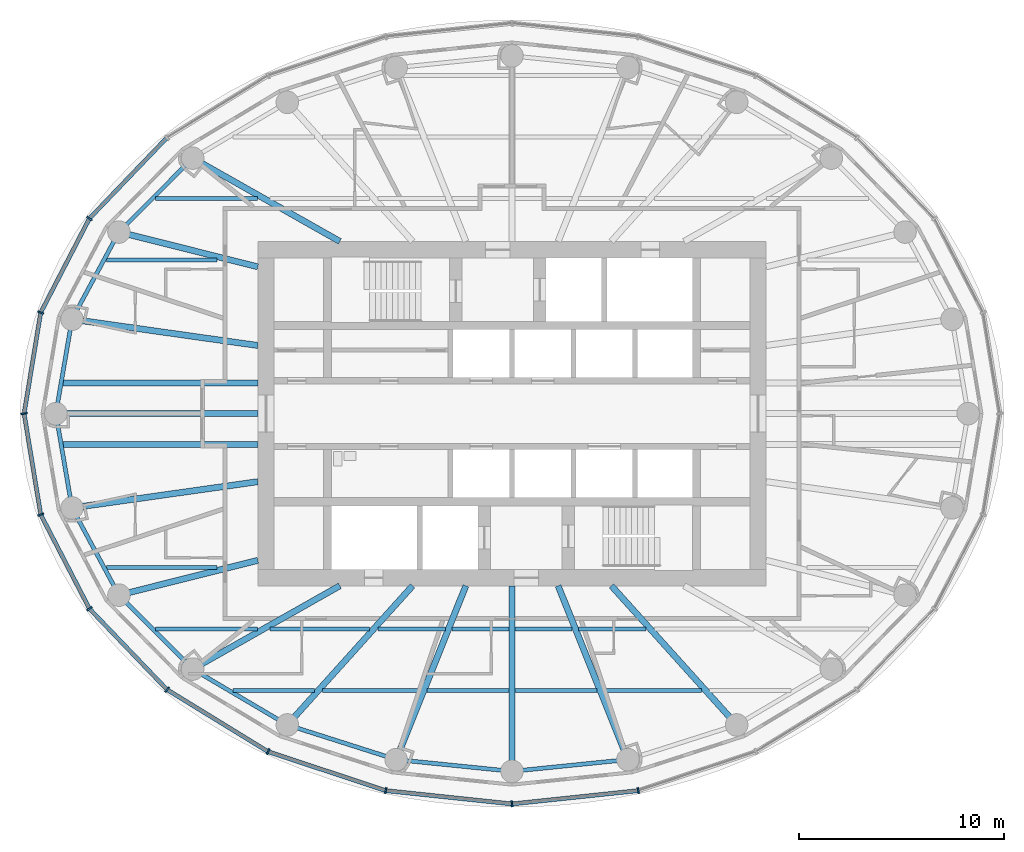
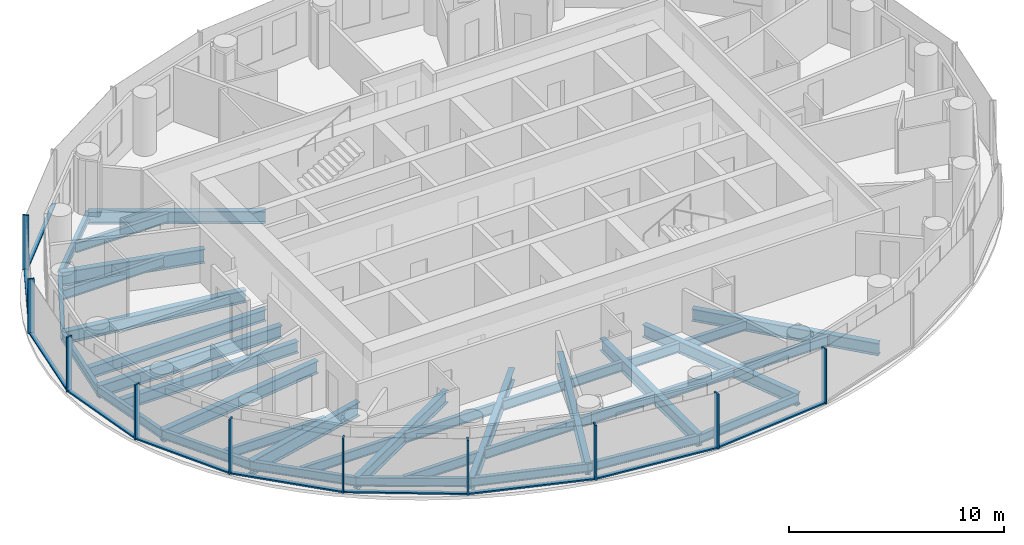
# One storey, part 2 of 16: 38 beams, 20 members, 3 elements without a shape of their own.
"""IFC4 building model written with IfcOpenShell, lengths in metres."""

from ifc_helpers import new_model, si_unit, direction, frame, origin, origin_2d, place, context, subcontext, project, spatial, rectangle, i_section, extrude, material, material_profile, profile_set, type_object, element, aggregate, save


model = new_model("IFC4")

# Units and contexts
model_context = context("Model", 3, precision=1e-05, world=origin(), true_north=direction((0.0, 1.0)))
body_context = subcontext(model_context, "Body", "Model", "MODEL_VIEW")
ifc_project = project(units=[si_unit("LENGTHUNIT", "METRE"), si_unit("AREAUNIT", "SQUARE_METRE"), si_unit("VOLUMEUNIT", "CUBIC_METRE"), si_unit("PLANEANGLEUNIT", "RADIAN"), si_unit("MASSUNIT", "GRAM", prefix="KILO")], contexts=[model_context])

# Site, building, storey
site_placement = place(None, origin())
site = spatial("IfcSite", under=ifc_project, at=site_placement, CompositionType="ELEMENT")
building_placement = place(site_placement, origin())
building = spatial("IfcBuilding", under=site, at=building_placement, Name="Hankou Lantern Tower", CompositionType="ELEMENT")
storey_placement = place(building_placement, frame((0.0, 0.0, 173.10009765625)))
storey = spatial("IfcBuildingStorey", under=building, at=storey_placement, Name="L46", CompositionType="ELEMENT", Elevation=173.10009765625)

# Beams
ifc_material_1 = material(Name="Steel Q355B", Category="steel")
ifc_material_profile_1 = material_profile(ifc_material_1, i_section(OverallWidth=0.199951171875, OverallDepth=0.5, WebThickness=0.010009765625, FlangeThickness=0.01611328125, FilletRadius=0.012939453125, at=origin_2d()), Name="HN500x200x10x16")
ifc_profile_set_1 = profile_set([ifc_material_profile_1], Name="Steel Q355B")
beam_type_1 = type_object("IfcBeamType", Name="EB5 RING BEAM HN500x200x10x16", PredefinedType="SPANDREL", material=ifc_profile_set_1)
beam_1_placement = place(storey_placement, frame((-15.576171875, 12.4609375, -0.43017578125), z_axis=(-0.706147278092, -0.708064984054, 0.0), x_axis=(0.708064984054, -0.706147278092, 0.0)))
element("IfcBeam", 1, at=beam_1_placement, inside=storey, type_object=beam_type_1, Name="Ring beam R10-R11 L46", PredefinedType="SPANDREL", context=body_context, shape_type="SweptSolid", body=[
    extrude(i_section(OverallWidth=0.199951171875, OverallDepth=0.5, WebThickness=0.010009765625, FlangeThickness=0.01611328125, FilletRadius=0.012939453125, at=origin_2d()), origin(), (0.0, 0.0, 1.0), 5.09228515625),
])
beam_2_placement = place(storey_placement, frame((-19.172119140625, 8.855224609375, -0.43017578125), z_axis=(-0.474051612334, -0.880497057828, 0.0), x_axis=(0.880497057828, -0.474051612334, 0.0)))
element("IfcBeam", 2, at=beam_2_placement, inside=storey, type_object=beam_type_1, Name="Ring beam R11-R12 L46", PredefinedType="SPANDREL", context=body_context, shape_type="SweptSolid", body=[
    extrude(i_section(OverallWidth=0.199951171875, OverallDepth=0.5, WebThickness=0.010009765625, FlangeThickness=0.01611328125, FilletRadius=0.012939453125, at=origin_2d()), origin(), (0.0, 0.0, 1.0), 4.831787109375),
])
for number, where, z_axis, x_axis, name in (
    (3, (-21.462646484375, 4.600830078125, -0.43017578125), (-0.168680718946, -0.985670743735, 0.0), (0.985670743735, -0.168680718946, 0.0), "Ring beam R12-R13 L46"),
    (4, (-22.25, 0.0, -0.43017578125), (0.168680718946, -0.985670743735, 0.0), (0.985670743735, 0.168680718946, 0.0), "Ring beam R13-R14 L46"),
):
    element("IfcBeam", number, at=place(storey_placement, frame(where, z_axis=z_axis, x_axis=x_axis)), inside=storey, type_object=beam_type_1, Name=name, PredefinedType="SPANDREL", context=body_context, shape_type="SweptSolid", body=[
        extrude(i_section(OverallWidth=0.199951171875, OverallDepth=0.5, WebThickness=0.010009765625, FlangeThickness=0.01611328125, FilletRadius=0.012939453125, at=origin_2d()), origin(), (0.0, 0.0, 1.0), 4.667724609375),
    ])
beam_3_placement = place(storey_placement, frame((-21.462646484375, -4.600830078125, -0.43017578125), z_axis=(0.474051612334, -0.880497057828, 0.0), x_axis=(0.880497057828, 0.474051612334, 0.0)))
element("IfcBeam", 5, at=beam_3_placement, inside=storey, type_object=beam_type_1, Name="Ring beam R14-R15 L46", PredefinedType="SPANDREL", context=body_context, shape_type="SweptSolid", body=[
    extrude(i_section(OverallWidth=0.199951171875, OverallDepth=0.5, WebThickness=0.010009765625, FlangeThickness=0.01611328125, FilletRadius=0.012939453125, at=origin_2d()), origin(), (0.0, 0.0, 1.0), 4.831787109375),
])
beam_4_placement = place(storey_placement, frame((-19.172119140625, -8.855224609375, -0.43017578125), z_axis=(0.706147278092, -0.708064984054, 0.0), x_axis=(0.708064984054, 0.706147278092, 0.0)))
element("IfcBeam", 6, at=beam_4_placement, inside=storey, type_object=beam_type_1, Name="Ring beam R15-R16 L46", PredefinedType="SPANDREL", context=body_context, shape_type="SweptSolid", body=[
    extrude(i_section(OverallWidth=0.199951171875, OverallDepth=0.5, WebThickness=0.010009765625, FlangeThickness=0.01611328125, FilletRadius=0.012939453125, at=origin_2d()), origin(), (0.0, 0.0, 1.0), 5.09228515625),
])
beam_5_placement = place(storey_placement, frame((-15.576171875, -12.4609375, -0.43017578125), z_axis=(0.861135888339, -0.508374843806, 0.0), x_axis=(0.508374843806, 0.861135888339, 0.0)))
element("IfcBeam", 7, at=beam_5_placement, inside=storey, type_object=beam_type_1, Name="Ring beam R16-R17 L46", PredefinedType="SPANDREL", context=body_context, shape_type="SweptSolid", body=[
    extrude(i_section(OverallWidth=0.199951171875, OverallDepth=0.5, WebThickness=0.010009765625, FlangeThickness=0.01611328125, FilletRadius=0.012939453125, at=origin_2d()), origin(), (0.0, 0.0, 1.0), 5.36083984375),
])
beam_6_placement = place(storey_placement, frame((-10.959716796875, -15.186279296875, -0.43017578125), z_axis=(0.952790404271, -0.30362879562, 0.0), x_axis=(0.30362879562, 0.952790404271, 0.0)))
element("IfcBeam", 8, at=beam_6_placement, inside=storey, type_object=beam_type_1, Name="Ring beam R17-R18 L46", PredefinedType="SPANDREL", context=body_context, shape_type="SweptSolid", body=[
    extrude(i_section(OverallWidth=0.199951171875, OverallDepth=0.5, WebThickness=0.010009765625, FlangeThickness=0.01611328125, FilletRadius=0.012939453125, at=origin_2d()), origin(), (0.0, 0.0, 1.0), 5.56982421875),
])
for number, where, z_axis, x_axis, name in (
    (9, (-5.65283203125, -16.87744140625, -0.43017578125), (0.9949104636, -0.100762936734, 0.0), (0.100762936734, 0.9949104636, 0.0), "Ring beam R18-R19 L46"),
    (10, (0.0, -17.449951171875, -0.43017578125), (0.9949104636, 0.100762936734, 0.0), (-0.100762936734, 0.9949104636, 0.0), "Ring beam R19-R20 L46"),
):
    element("IfcBeam", number, at=place(storey_placement, frame(where, z_axis=z_axis, x_axis=x_axis)), inside=storey, type_object=beam_type_1, Name=name, PredefinedType="SPANDREL", context=body_context, shape_type="SweptSolid", body=[
        extrude(i_section(OverallWidth=0.199951171875, OverallDepth=0.5, WebThickness=0.010009765625, FlangeThickness=0.01611328125, FilletRadius=0.012939453125, at=origin_2d()), origin(), (0.0, 0.0, 1.0), 5.681640625),
    ])

# Curtain wall, members
ifc_material_2 = material(Name="Glass, dark grey tinted laminated", Category="glass")
curtain_wall_type = type_object("IfcCurtainWallType", Name="CWC OUTER SKIN HIGH-RISE", PredefinedType="USERDEFINED", material=ifc_material_2)
curtain_wall_1_placement = place(storey_placement, origin())
curtain_wall_1 = element("IfcCurtainWall", 11, at=curtain_wall_1_placement, inside=storey, type_object=curtain_wall_type, Name="CWC L46 OS2", ObjectType="OUTER SKIN HIGH-RISE", PredefinedType="USERDEFINED")
ifc_material_3 = material(Name="Aluminium, black anodised", Category="aluminium")
ifc_material_profile_2 = material_profile(ifc_material_3, rectangle(XDim=0.080078125, YDim=0.300048828125, at=origin_2d()), Name="MU1 80X300")
ifc_profile_set_2 = profile_set([ifc_material_profile_2], Name="Aluminium, black anodised")
member_type_1 = type_object("IfcMemberType", Name="MU1 OUTER SKIN MULLION 80X300", PredefinedType="MULLION", material=ifc_profile_set_2)
member_1_placement = place(storey_placement, frame((-20.611328125, 9.52001953125, 0.0), z_axis=(0.0, 0.0, 1.0), x_axis=(-0.585205735974, -0.810884854084, 0.0)))
member_1 = element("IfcMember", 12, at=member_1_placement, type_object=member_type_1, Name="CWC mullion 5", PredefinedType="MULLION", context=body_context, shape_type="SweptSolid", body=[
    extrude(rectangle(XDim=0.080078125, YDim=0.300048828125, at=origin_2d()), origin(), (0.0, 0.0, 1.0), 3.119873046875),
])
member_2_placement = place(storey_placement, frame((-22.989013671875, 4.927978515625, 0.0), z_axis=(0.0, 0.0, 1.0), x_axis=(-0.317595577365, -0.94822626479, 0.0)))
member_2 = element("IfcMember", 13, at=member_2_placement, type_object=member_type_1, Name="CWC mullion 6", PredefinedType="MULLION", context=body_context, shape_type="SweptSolid", body=[
    extrude(rectangle(XDim=0.080078125, YDim=0.300048828125, at=origin_2d()), origin(), (0.0, 0.0, 1.0), 3.119873046875),
])

curtain_wall_2_placement = place(storey_placement, origin())
curtain_wall_2 = element("IfcCurtainWall", 14, at=curtain_wall_2_placement, inside=storey, type_object=curtain_wall_type, Name="CWC L46 OS3", ObjectType="OUTER SKIN HIGH-RISE", PredefinedType="USERDEFINED")
member_3_placement = place(storey_placement, frame((-23.800048828125, 0.0, 0.0), z_axis=(0.0, 0.0, 1.0), x_axis=(0.162381515188, -0.986728049427, 0.0)))
member_3 = element("IfcMember", 15, at=member_3_placement, type_object=member_type_1, Name="CWC mullion 1", PredefinedType="MULLION", context=body_context, shape_type="SweptSolid", body=[
    extrude(rectangle(XDim=0.080078125, YDim=0.300048828125, at=origin_2d()), origin(), (0.0, 0.0, 1.0), 3.119873046875),
])
member_4_placement = place(storey_placement, frame((-22.989013671875, -4.927978515625, 0.0), z_axis=(0.0, 0.0, 1.0), x_axis=(0.317595577365, -0.94822626479, 0.0)))
member_4 = element("IfcMember", 16, at=member_4_placement, type_object=member_type_1, Name="CWC mullion 2", PredefinedType="MULLION", context=body_context, shape_type="SweptSolid", body=[
    extrude(rectangle(XDim=0.080078125, YDim=0.300048828125, at=origin_2d()), origin(), (0.0, 0.0, 1.0), 3.119873046875),
])
member_5_placement = place(storey_placement, frame((-20.611328125, -9.52001953125, 0.0), z_axis=(0.0, 0.0, 1.0), x_axis=(0.585205735974, -0.810884854084, 0.0)))
member_5 = element("IfcMember", 17, at=member_5_placement, type_object=member_type_1, Name="CWC mullion 3", PredefinedType="MULLION", context=body_context, shape_type="SweptSolid", body=[
    extrude(rectangle(XDim=0.080078125, YDim=0.300048828125, at=origin_2d()), origin(), (0.0, 0.0, 1.0), 3.119873046875),
])
member_6_placement = place(storey_placement, frame((-16.8291015625, -13.46337890625, 0.0), z_axis=(0.0, 0.0, 1.0), x_axis=(0.780868809444, -0.624695047553, 0.0)))
member_6 = element("IfcMember", 18, at=member_6_placement, type_object=member_type_1, Name="CWC mullion 4", PredefinedType="MULLION", context=body_context, shape_type="SweptSolid", body=[
    extrude(rectangle(XDim=0.080078125, YDim=0.300048828125, at=origin_2d()), origin(), (0.0, 0.0, 1.0), 3.119873046875),
])
member_7_placement = place(storey_placement, frame((-11.89990234375, -16.489013671875, 0.0), z_axis=(0.0, 0.0, 1.0), x_axis=(0.907841299004, -0.419313934686, 0.0)))
member_7 = element("IfcMember", 19, at=member_7_placement, type_object=member_type_1, Name="CWC mullion 5", PredefinedType="MULLION", context=body_context, shape_type="SweptSolid", body=[
    extrude(rectangle(XDim=0.080078125, YDim=0.300048828125, at=origin_2d()), origin(), (0.0, 0.0, 1.0), 3.119873046875),
])
member_8_placement = place(storey_placement, frame((-6.159912109375, -18.39111328125, 0.0), z_axis=(0.0, 0.0, 1.0), x_axis=(0.977787659625, -0.209597931016, 0.0)))
member_8 = element("IfcMember", 20, at=member_8_placement, type_object=member_type_1, Name="CWC mullion 6", PredefinedType="MULLION", context=body_context, shape_type="SweptSolid", body=[
    extrude(rectangle(XDim=0.080078125, YDim=0.300048828125, at=origin_2d()), origin(), (0.0, 0.0, 1.0), 3.119873046875),
])

curtain_wall_3_placement = place(storey_placement, origin())
curtain_wall_3 = element("IfcCurtainWall", 21, at=curtain_wall_3_placement, inside=storey, type_object=curtain_wall_type, Name="CWC L46 OS4", ObjectType="OUTER SKIN HIGH-RISE", PredefinedType="USERDEFINED")
member_9_placement = place(storey_placement, frame((0.0, -19.0400390625, 0.0), z_axis=(0.0, 0.0, 1.0), x_axis=(0.994499359107, 0.104742659579, 0.0)))
member_9 = element("IfcMember", 22, at=member_9_placement, type_object=member_type_1, Name="CWC mullion 1", PredefinedType="MULLION", context=body_context, shape_type="SweptSolid", body=[
    extrude(rectangle(XDim=0.080078125, YDim=0.300048828125, at=origin_2d()), origin(), (0.0, 0.0, 1.0), 3.119873046875),
])
member_10_placement = place(storey_placement, frame((6.159912109375, -18.39111328125, 0.0), z_axis=(0.0, 0.0, 1.0), x_axis=(0.977787659625, 0.209597931016, 0.0)))
member_10 = element("IfcMember", 23, at=member_10_placement, type_object=member_type_1, Name="CWC mullion 2", PredefinedType="MULLION", context=body_context, shape_type="SweptSolid", body=[
    extrude(rectangle(XDim=0.080078125, YDim=0.300048828125, at=origin_2d()), origin(), (0.0, 0.0, 1.0), 3.119873046875),
])

# Beams
ifc_material_4 = material(Name="Steel Q355B", Category="steel")
ifc_material_profile_3 = material_profile(ifc_material_4, i_section(OverallWidth=0.300048828125, OverallDepth=0.800048828125, WebThickness=0.013916015625, FlangeThickness=0.02587890625, FilletRadius=0.01806640625, at=origin_2d()), Name="HN800x300x14x26")
ifc_profile_set_3 = profile_set([ifc_material_profile_3], Name="Steel Q355B")
beam_type_2 = type_object("IfcBeamType", Name="RB11 RADIAL BEAM HN800x300x14x26", PredefinedType="BEAM", material=ifc_profile_set_3)
for number, where, z_axis, x_axis, name in (
    (24, (-12.39990234375, 7.1591796875, -0.580078125), (-0.970041619568, 0.242938791274, 0.0), (-0.242938791274, -0.970041619568, 0.0), "Radial beam R11 L46"),
    (25, (-12.39990234375, -7.1591796875, -0.580078125), (-0.970041619568, -0.242938791274, 0.0), (0.242938791274, -0.970041619568, 0.0), "Radial beam R15 L46"),
):
    element("IfcBeam", number, at=place(storey_placement, frame(where, z_axis=z_axis, x_axis=x_axis)), inside=storey, type_object=beam_type_2, Name=name, PredefinedType="BEAM", context=body_context, shape_type="SweptSolid", body=[
        extrude(i_section(OverallWidth=0.300048828125, OverallDepth=0.800048828125, WebThickness=0.013916015625, FlangeThickness=0.02587890625, FilletRadius=0.01806640625, at=origin_2d()), origin(), (0.0, 0.0, 1.0), 6.9814453125),
    ])
ifc_material_5 = material(Name="Steel Q355B", Category="steel")
ifc_material_profile_4 = material_profile(ifc_material_5, i_section(OverallWidth=0.300048828125, OverallDepth=0.699951171875, WebThickness=0.012939453125, FlangeThickness=0.02392578125, FilletRadius=0.01806640625, at=origin_2d()), Name="HN700x300x13x24")
ifc_profile_set_4 = profile_set([ifc_material_profile_4], Name="Steel Q355B")
beam_type_3 = type_object("IfcBeamType", Name="RB9 RADIAL BEAM HN700x300x13x24", PredefinedType="BEAM", material=ifc_profile_set_4)
beam_7_placement = place(storey_placement, frame((-8.39990234375, 8.39990234375, -0.530029296875), z_axis=(-0.870309058024, 0.492505983234, 0.0), x_axis=(-0.492505983234, -0.870309058024, 0.0)))
element("IfcBeam", 26, at=beam_7_placement, inside=storey, type_object=beam_type_3, Name="Radial beam R10 L46", PredefinedType="BEAM", context=body_context, shape_type="SweptSolid", body=[
    extrude(i_section(OverallWidth=0.300048828125, OverallDepth=0.699951171875, WebThickness=0.012939453125, FlangeThickness=0.02392578125, FilletRadius=0.01806640625, at=origin_2d()), origin(), (0.0, 0.0, 1.0), 8.24560546875),
])
beam_8_placement = place(storey_placement, frame((-12.39990234375, 3.322509765625, -0.530029296875), z_axis=(-0.990198154617, 0.13966966239, 0.0), x_axis=(-0.13966966239, -0.990198154617, 0.0)))
element("IfcBeam", 27, at=beam_8_placement, inside=storey, type_object=beam_type_3, Name="Radial beam R12 L46", PredefinedType="BEAM", context=body_context, shape_type="SweptSolid", body=[
    extrude(i_section(OverallWidth=0.300048828125, OverallDepth=0.699951171875, WebThickness=0.012939453125, FlangeThickness=0.02392578125, FilletRadius=0.01806640625, at=origin_2d()), origin(), (0.0, 0.0, 1.0), 9.15234375),
])
beam_9_placement = place(storey_placement, frame((-12.39990234375, 0.0, -0.530029296875), z_axis=(-1.0, 0.0, 0.0), x_axis=(0.0, -1.0, 0.0)))
element("IfcBeam", 28, at=beam_9_placement, inside=storey, type_object=beam_type_3, Name="Radial beam R13 L46", PredefinedType="BEAM", context=body_context, shape_type="SweptSolid", body=[
    extrude(i_section(OverallWidth=0.300048828125, OverallDepth=0.699951171875, WebThickness=0.012939453125, FlangeThickness=0.02392578125, FilletRadius=0.01806640625, at=origin_2d()), origin(), (0.0, 0.0, 1.0), 9.85009765625),
])
beam_10_placement = place(storey_placement, frame((-12.39990234375, -3.322509765625, -0.530029296875), z_axis=(-0.990198154617, -0.13966966239, 0.0), x_axis=(0.13966966239, -0.990198154617, 0.0)))
element("IfcBeam", 29, at=beam_10_placement, inside=storey, type_object=beam_type_3, Name="Radial beam R14 L46", PredefinedType="BEAM", context=body_context, shape_type="SweptSolid", body=[
    extrude(i_section(OverallWidth=0.300048828125, OverallDepth=0.699951171875, WebThickness=0.012939453125, FlangeThickness=0.02392578125, FilletRadius=0.01806640625, at=origin_2d()), origin(), (0.0, 0.0, 1.0), 9.15234375),
])
beam_11_placement = place(storey_placement, frame((-8.39990234375, -8.39990234375, -0.530029296875), z_axis=(-0.870309058024, -0.492505983234, 0.0), x_axis=(0.492505983234, -0.870309058024, 0.0)))
element("IfcBeam", 30, at=beam_11_placement, inside=storey, type_object=beam_type_3, Name="Radial beam R16 L46", PredefinedType="BEAM", context=body_context, shape_type="SweptSolid", body=[
    extrude(i_section(OverallWidth=0.300048828125, OverallDepth=0.699951171875, WebThickness=0.012939453125, FlangeThickness=0.02392578125, FilletRadius=0.01806640625, at=origin_2d()), origin(), (0.0, 0.0, 1.0), 8.24560546875),
])
beam_12_placement = place(storey_placement, frame((-4.849853515625, -8.39990234375, -0.530029296875), z_axis=(-0.669093231314, -0.743178476418, 0.0), x_axis=(0.743178476418, -0.669093231314, 0.0)))
element("IfcBeam", 31, at=beam_12_placement, inside=storey, type_object=beam_type_3, Name="Radial beam R17 L46", PredefinedType="BEAM", context=body_context, shape_type="SweptSolid", body=[
    extrude(i_section(OverallWidth=0.300048828125, OverallDepth=0.699951171875, WebThickness=0.012939453125, FlangeThickness=0.02392578125, FilletRadius=0.01806640625, at=origin_2d()), origin(), (0.0, 0.0, 1.0), 9.131591796875),
])
beam_13_placement = place(storey_placement, frame((-2.250732421875, -8.39990234375, -0.530029296875), z_axis=(-0.372436468133, -0.928057690666, 0.0), x_axis=(0.928057690666, -0.372436468133, 0.0)))
element("IfcBeam", 32, at=beam_13_placement, inside=storey, type_object=beam_type_3, Name="Radial beam R18 L46", PredefinedType="BEAM", context=body_context, shape_type="SweptSolid", body=[
    extrude(i_section(OverallWidth=0.300048828125, OverallDepth=0.699951171875, WebThickness=0.012939453125, FlangeThickness=0.02392578125, FilletRadius=0.01806640625, at=origin_2d()), origin(), (0.0, 0.0, 1.0), 9.134765625),
])
beam_14_placement = place(storey_placement, frame((0.0, -8.39990234375, -0.530029296875), z_axis=(0.0, -1.0, 0.0), x_axis=(1.0, 0.0, 0.0)))
element("IfcBeam", 33, at=beam_14_placement, inside=storey, type_object=beam_type_3, Name="Radial beam R19 L46", PredefinedType="BEAM", context=body_context, shape_type="SweptSolid", body=[
    extrude(i_section(OverallWidth=0.300048828125, OverallDepth=0.699951171875, WebThickness=0.012939453125, FlangeThickness=0.02392578125, FilletRadius=0.01806640625, at=origin_2d()), origin(), (0.0, 0.0, 1.0), 9.050048828125),
])
beam_15_placement = place(storey_placement, frame((2.250732421875, -8.39990234375, -0.530029296875), z_axis=(0.372436468133, -0.928057690666, 0.0), x_axis=(0.928057690666, 0.372436468133, 0.0)))
element("IfcBeam", 34, at=beam_15_placement, inside=storey, type_object=beam_type_3, Name="Radial beam R20 L46", PredefinedType="BEAM", context=body_context, shape_type="SweptSolid", body=[
    extrude(i_section(OverallWidth=0.300048828125, OverallDepth=0.699951171875, WebThickness=0.012939453125, FlangeThickness=0.02392578125, FilletRadius=0.01806640625, at=origin_2d()), origin(), (0.0, 0.0, 1.0), 9.134765625),
])
beam_16_placement = place(storey_placement, frame((4.849853515625, -8.39990234375, -0.530029296875), z_axis=(0.669093231314, -0.743178476418, 0.0), x_axis=(0.743178476418, 0.669093231314, 0.0)))
element("IfcBeam", 35, at=beam_16_placement, inside=storey, type_object=beam_type_3, Name="Radial beam R21 L46", PredefinedType="BEAM", context=body_context, shape_type="SweptSolid", body=[
    extrude(i_section(OverallWidth=0.300048828125, OverallDepth=0.699951171875, WebThickness=0.012939453125, FlangeThickness=0.02392578125, FilletRadius=0.01806640625, at=origin_2d()), origin(), (0.0, 0.0, 1.0), 9.131591796875),
])
ifc_material_6 = material(Name="Steel Q355B", Category="steel")
ifc_material_profile_5 = material_profile(ifc_material_6, i_section(OverallWidth=0.199951171875, OverallDepth=0.550048828125, WebThickness=0.010009765625, FlangeThickness=0.01611328125, FilletRadius=0.012939453125, at=origin_2d()), Name="HN550x200x10x16")
ifc_profile_set_5 = profile_set([ifc_material_profile_5], Name="Steel Q355B")
beam_type_4 = type_object("IfcBeamType", Name="SB6 SECONDARY BEAM HN550x200x10x16", PredefinedType="JOIST", material=ifc_profile_set_5)
beam_17_placement = place(storey_placement, frame((-13.619384765625, -13.5, -0.455078125), z_axis=(1.0, 0.0, 0.0), x_axis=(0.0, 1.0, 0.0)))
element("IfcBeam", 36, at=beam_17_placement, inside=storey, type_object=beam_type_4, Name="Floor joist J001 L46", PredefinedType="JOIST", context=body_context, shape_type="SweptSolid", body=[
    extrude(i_section(OverallWidth=0.199951171875, OverallDepth=0.550048828125, WebThickness=0.010009765625, FlangeThickness=0.01611328125, FilletRadius=0.012939453125, at=origin_2d()), origin(), (0.0, 0.0, 1.0), 3.97607421875),
])
beam_18_placement = place(storey_placement, frame((-9.23974609375, -13.5, -0.455078125), z_axis=(1.0, 0.0, 0.0), x_axis=(0.0, 1.0, 0.0)))
element("IfcBeam", 37, at=beam_18_placement, inside=storey, type_object=beam_type_4, Name="Floor joist J002 L46", PredefinedType="JOIST", context=body_context, shape_type="SweptSolid", body=[
    extrude(i_section(OverallWidth=0.199951171875, OverallDepth=0.550048828125, WebThickness=0.010009765625, FlangeThickness=0.01611328125, FilletRadius=0.012939453125, at=origin_2d()), origin(), (0.0, 0.0, 1.0), 4.780517578125),
])
for number, where, z_axis, x_axis, name in (
    (38, (-4.135986328125, -13.5, -0.455078125), (1.0, 0.0, 0.0), (0.0, 1.0, 0.0), "Floor joist J003 L46"),
    (39, (0.14990234375, -13.5, -0.455078125), (1.0, 0.0, 0.0), (0.0, 1.0, 0.0), "Floor joist J004 L46"),
):
    element("IfcBeam", number, at=place(storey_placement, frame(where, z_axis=z_axis, x_axis=x_axis)), inside=storey, type_object=beam_type_4, Name=name, PredefinedType="JOIST", context=body_context, shape_type="SweptSolid", body=[
        extrude(i_section(OverallWidth=0.199951171875, OverallDepth=0.550048828125, WebThickness=0.010009765625, FlangeThickness=0.01611328125, FilletRadius=0.012939453125, at=origin_2d()), origin(), (0.0, 0.0, 1.0), 3.986083984375),
    ])
beam_19_placement = place(storey_placement, frame((4.459228515625, -13.5, -0.455078125), z_axis=(1.0, 0.0, 0.0), x_axis=(0.0, 1.0, 0.0)))
element("IfcBeam", 40, at=beam_19_placement, inside=storey, type_object=beam_type_4, Name="Floor joist J005 L46", PredefinedType="JOIST", context=body_context, shape_type="SweptSolid", body=[
    extrude(i_section(OverallWidth=0.199951171875, OverallDepth=0.550048828125, WebThickness=0.010009765625, FlangeThickness=0.01611328125, FilletRadius=0.012939453125, at=origin_2d()), origin(), (0.0, 0.0, 1.0), 4.780517578125),
])
beam_20_placement = place(storey_placement, frame((-17.390625, -10.5, -0.455078125), z_axis=(1.0, 0.0, 0.0), x_axis=(0.0, 1.0, 0.0)))
element("IfcBeam", 41, at=beam_20_placement, inside=storey, type_object=beam_type_4, Name="Floor joist J007 L46", PredefinedType="JOIST", context=body_context, shape_type="SweptSolid", body=[
    extrude(i_section(OverallWidth=0.199951171875, OverallDepth=0.550048828125, WebThickness=0.010009765625, FlangeThickness=0.01611328125, FilletRadius=0.012939453125, at=origin_2d()), origin(), (0.0, 0.0, 1.0), 4.97509765625),
])
beam_21_placement = place(storey_placement, frame((-11.806396484375, -10.5, -0.455078125), z_axis=(1.0, 0.0, 0.0), x_axis=(0.0, 1.0, 0.0)))
element("IfcBeam", 42, at=beam_21_placement, inside=storey, type_object=beam_type_4, Name="Floor joist J008 L46", PredefinedType="JOIST", context=body_context, shape_type="SweptSolid", body=[
    extrude(i_section(OverallWidth=0.199951171875, OverallDepth=0.550048828125, WebThickness=0.010009765625, FlangeThickness=0.01611328125, FilletRadius=0.012939453125, at=origin_2d()), origin(), (0.0, 0.0, 1.0), 4.864013671875),
])
beam_22_placement = place(storey_placement, frame((-6.53857421875, -10.5, -0.455078125), z_axis=(1.0, 0.0, 0.0), x_axis=(0.0, 1.0, 0.0)))
element("IfcBeam", 43, at=beam_22_placement, inside=storey, type_object=beam_type_4, Name="Floor joist J009 L46", PredefinedType="JOIST", context=body_context, shape_type="SweptSolid", body=[
    extrude(i_section(OverallWidth=0.199951171875, OverallDepth=0.550048828125, WebThickness=0.010009765625, FlangeThickness=0.01611328125, FilletRadius=0.012939453125, at=origin_2d()), origin(), (0.0, 0.0, 1.0), 3.283447265625),
])
for number, where, z_axis, x_axis, name in (
    (44, (-2.931884765625, -10.5, -0.455078125), (1.0, 0.0, 0.0), (0.0, 1.0, 0.0), "Floor joist J010 L46"),
    (45, (0.14990234375, -10.5, -0.455078125), (1.0, 0.0, 0.0), (0.0, 1.0, 0.0), "Floor joist J011 L46"),
):
    element("IfcBeam", number, at=place(storey_placement, frame(where, z_axis=z_axis, x_axis=x_axis)), inside=storey, type_object=beam_type_4, Name=name, PredefinedType="JOIST", context=body_context, shape_type="SweptSolid", body=[
        extrude(i_section(OverallWidth=0.199951171875, OverallDepth=0.550048828125, WebThickness=0.010009765625, FlangeThickness=0.01611328125, FilletRadius=0.012939453125, at=origin_2d()), origin(), (0.0, 0.0, 1.0), 2.781982421875),
    ])
beam_23_placement = place(storey_placement, frame((3.255126953125, -10.5, -0.455078125), z_axis=(1.0, 0.0, 0.0), x_axis=(0.0, 1.0, 0.0)))
element("IfcBeam", 46, at=beam_23_placement, inside=storey, type_object=beam_type_4, Name="Floor joist J012 L46", PredefinedType="JOIST", context=body_context, shape_type="SweptSolid", body=[
    extrude(i_section(OverallWidth=0.199951171875, OverallDepth=0.550048828125, WebThickness=0.010009765625, FlangeThickness=0.01611328125, FilletRadius=0.012939453125, at=origin_2d()), origin(), (0.0, 0.0, 1.0), 3.283447265625),
])
for number, where, z_axis, x_axis, name in (
    (47, (-19.788330078125, -7.5, -0.455078125), (1.0, 0.0, 0.0), (0.0, 1.0, 0.0), "Floor joist J015 L46"),
    (48, (-19.788330078125, 7.5, -0.455078125), (1.0, 0.0, 0.0), (0.0, 1.0, 0.0), "Floor joist J025 L46"),
):
    element("IfcBeam", number, at=place(storey_placement, frame(where, z_axis=z_axis, x_axis=x_axis)), inside=storey, type_object=beam_type_4, Name=name, PredefinedType="JOIST", context=body_context, shape_type="SweptSolid", body=[
        extrude(i_section(OverallWidth=0.199951171875, OverallDepth=0.550048828125, WebThickness=0.010009765625, FlangeThickness=0.01611328125, FilletRadius=0.012939453125, at=origin_2d()), origin(), (0.0, 0.0, 1.0), 5.409912109375),
    ])
beam_24_placement = place(storey_placement, frame((-17.390625, 10.5, -0.455078125), z_axis=(1.0, 0.0, 0.0), x_axis=(0.0, 1.0, 0.0)))
element("IfcBeam", 49, at=beam_24_placement, inside=storey, type_object=beam_type_4, Name="Floor joist J027 L46", PredefinedType="JOIST", context=body_context, shape_type="SweptSolid", body=[
    extrude(i_section(OverallWidth=0.199951171875, OverallDepth=0.550048828125, WebThickness=0.010009765625, FlangeThickness=0.01611328125, FilletRadius=0.012939453125, at=origin_2d()), origin(), (0.0, 0.0, 1.0), 4.97509765625),
])
ifc_material_7 = material(Name="Steel Q355B", Category="steel")
ifc_material_profile_6 = material_profile(ifc_material_7, i_section(OverallWidth=0.300048828125, OverallDepth=0.64990234375, WebThickness=0.010986328125, FlangeThickness=0.01708984375, FilletRadius=0.01806640625, at=origin_2d()), Name="HN650x300x11x17")
ifc_profile_set_6 = profile_set([ifc_material_profile_6], Name="Steel Q355B")
beam_type_5 = type_object("IfcBeamType", Name="SB8 SECONDARY BEAM HN650x300x11x17", PredefinedType="JOIST", material=ifc_profile_set_6)
for number, where, z_axis, x_axis, name in (
    (50, (-21.891845703125, -1.5, -0.505126953125), (1.0, 0.0, 0.0), (0.0, 1.0, 0.0), "Floor joist J019 L46"),
    (51, (-21.891845703125, 1.5, -0.505126953125), (1.0, 0.0, 0.0), (0.0, 1.0, 0.0), "Floor joist J021 L46"),
):
    element("IfcBeam", number, at=place(storey_placement, frame(where, z_axis=z_axis, x_axis=x_axis)), inside=storey, type_object=beam_type_5, Name=name, PredefinedType="JOIST", context=body_context, shape_type="SweptSolid", body=[
        extrude(i_section(OverallWidth=0.300048828125, OverallDepth=0.64990234375, WebThickness=0.010986328125, FlangeThickness=0.01708984375, FilletRadius=0.01806640625, at=origin_2d()), origin(), (0.0, 0.0, 1.0), 9.491943359375),
    ])

# Member
ifc_material_8 = material(Name="Aluminium, black anodised", Category="aluminium")
ifc_material_profile_7 = material_profile(ifc_material_8, rectangle(XDim=0.199951171875, YDim=0.080078125, at=origin_2d()), Name="TR1 200X80")
ifc_profile_set_7 = profile_set([ifc_material_profile_7], Name="Aluminium, black anodised")
member_type_2 = type_object("IfcMemberType", Name="TR1 OUTER SKIN TRANSOM 200X80", PredefinedType="USERDEFINED", material=ifc_profile_set_7)
member_11_placement = place(storey_placement, frame((-16.85693359375, 13.434326171875, 0.039794921875), z_axis=(-0.692215543831, -0.721690820836, 0.0), x_axis=(0.721690820836, -0.692215543831, 0.0)))
member_11 = element("IfcMember", 52, at=member_11_placement, type_object=member_type_2, Name="CWC transom 4", ObjectType="TRANSOM", PredefinedType="USERDEFINED", context=body_context, shape_type="SweptSolid", body=[
    extrude(rectangle(XDim=0.199951171875, YDim=0.080078125, at=origin_2d()), origin(), (0.0, 0.0, 1.0), 5.3837890625),
])

member_12_placement = place(storey_placement, frame((-20.6298828125, 9.484375, 0.039794921875), z_axis=(-0.459790772977, -0.888027277219, 0.0), x_axis=(0.888027277219, -0.459790772977, 0.0)))
member_12 = element("IfcMember", 53, at=member_12_placement, type_object=member_type_2, Name="CWC transom 5", ObjectType="TRANSOM", PredefinedType="USERDEFINED", context=body_context, shape_type="SweptSolid", body=[
    extrude(rectangle(XDim=0.199951171875, YDim=0.080078125, at=origin_2d()), origin(), (0.0, 0.0, 1.0), 5.091064453125),
])

member_13_placement = place(storey_placement, frame((-22.99560546875, 4.888427734375, 0.039794921875), z_axis=(-0.162360337061, -0.986731534385, 0.0), x_axis=(0.986731534385, -0.162360337061, 0.0)))
member_13 = element("IfcMember", 54, at=member_13_placement, type_object=member_type_2, Name="CWC transom 6", ObjectType="TRANSOM", PredefinedType="USERDEFINED", context=body_context, shape_type="SweptSolid", body=[
    extrude(rectangle(XDim=0.199951171875, YDim=0.080078125, at=origin_2d()), origin(), (0.0, 0.0, 1.0), 4.9140625),
])

aggregate(curtain_wall_1, [member_1, member_2, member_11, member_12, member_13])

member_14_placement = place(storey_placement, frame((-23.79345703125, -0.03955078125, 0.039794921875), z_axis=(0.162360337061, -0.986731534385, 0.0), x_axis=(0.986731534385, 0.162360337061, 0.0)))
member_14 = element("IfcMember", 55, at=member_14_placement, type_object=member_type_2, Name="CWC transom 1", ObjectType="TRANSOM", PredefinedType="USERDEFINED", context=body_context, shape_type="SweptSolid", body=[
    extrude(rectangle(XDim=0.199951171875, YDim=0.080078125, at=origin_2d()), origin(), (0.0, 0.0, 1.0), 4.9140625),
])

member_15_placement = place(storey_placement, frame((-22.970703125, -4.96337890625, 0.039794921875), z_axis=(0.459790772977, -0.888027277219, 0.0), x_axis=(0.888027277219, 0.459790772977, 0.0)))
member_15 = element("IfcMember", 56, at=member_15_placement, type_object=member_type_2, Name="CWC transom 2", ObjectType="TRANSOM", PredefinedType="USERDEFINED", context=body_context, shape_type="SweptSolid", body=[
    extrude(rectangle(XDim=0.199951171875, YDim=0.080078125, at=origin_2d()), origin(), (0.0, 0.0, 1.0), 5.091064453125),
])

member_16_placement = place(storey_placement, frame((-20.583740234375, -9.548828125, 0.039794921875), z_axis=(0.692215543831, -0.721690820836, 0.0), x_axis=(0.721690820836, 0.692215543831, 0.0)))
member_16 = element("IfcMember", 57, at=member_16_placement, type_object=member_type_2, Name="CWC transom 3", ObjectType="TRANSOM", PredefinedType="USERDEFINED", context=body_context, shape_type="SweptSolid", body=[
    extrude(rectangle(XDim=0.199951171875, YDim=0.080078125, at=origin_2d()), origin(), (0.0, 0.0, 1.0), 5.3837890625),
])

member_17_placement = place(storey_placement, frame((-16.795166015625, -13.484130859375, 0.039794921875), z_axis=(0.852229482357, -0.523168146394, 0.0), x_axis=(0.523168146394, 0.852229482357, 0.0)))
member_17 = element("IfcMember", 58, at=member_17_placement, type_object=member_type_2, Name="CWC transom 4", ObjectType="TRANSOM", PredefinedType="USERDEFINED", context=body_context, shape_type="SweptSolid", body=[
    extrude(rectangle(XDim=0.199951171875, YDim=0.080078125, at=origin_2d()), origin(), (0.0, 0.0, 1.0), 5.703857421875),
])

member_18_placement = place(storey_placement, frame((-11.862060546875, -16.501708984375, 0.039794921875), z_axis=(0.949242327551, -0.314545709849, 0.0), x_axis=(0.314545709849, 0.949242327551, 0.0)))
member_18 = element("IfcMember", 59, at=member_18_placement, type_object=member_type_2, Name="CWC transom 5", ObjectType="TRANSOM", PredefinedType="USERDEFINED", context=body_context, shape_type="SweptSolid", body=[
    extrude(rectangle(XDim=0.199951171875, YDim=0.080078125, at=origin_2d()), origin(), (0.0, 0.0, 1.0), 5.96728515625),
])

member_19_placement = place(storey_placement, frame((-6.1201171875, -18.3955078125, 0.039794921875), z_axis=(0.994499543631, -0.104740907567, 0.0), x_axis=(0.104740907567, 0.994499543631, 0.0)))
member_19 = element("IfcMember", 60, at=member_19_placement, type_object=member_type_2, Name="CWC transom 6", ObjectType="TRANSOM", PredefinedType="USERDEFINED", context=body_context, shape_type="SweptSolid", body=[
    extrude(rectangle(XDim=0.199951171875, YDim=0.080078125, at=origin_2d()), origin(), (0.0, 0.0, 1.0), 6.114013671875),
])

aggregate(curtain_wall_2, [member_3, member_4, member_5, member_6, member_7, member_8, member_14, member_15, member_16, member_17, member_18, member_19])

member_20_placement = place(storey_placement, frame((0.039794921875, -19.035888671875, 0.039794921875), z_axis=(0.994499543631, 0.104740907567, 0.0), x_axis=(-0.104740907567, 0.994499543631, 0.0)))
member_20 = element("IfcMember", 61, at=member_20_placement, type_object=member_type_2, Name="CWC transom 1", ObjectType="TRANSOM", PredefinedType="USERDEFINED", context=body_context, shape_type="SweptSolid", body=[
    extrude(rectangle(XDim=0.199951171875, YDim=0.080078125, at=origin_2d()), origin(), (0.0, 0.0, 1.0), 6.114013671875),
])

aggregate(curtain_wall_3, [member_9, member_10, member_20])

save(model, "model.ifc")
